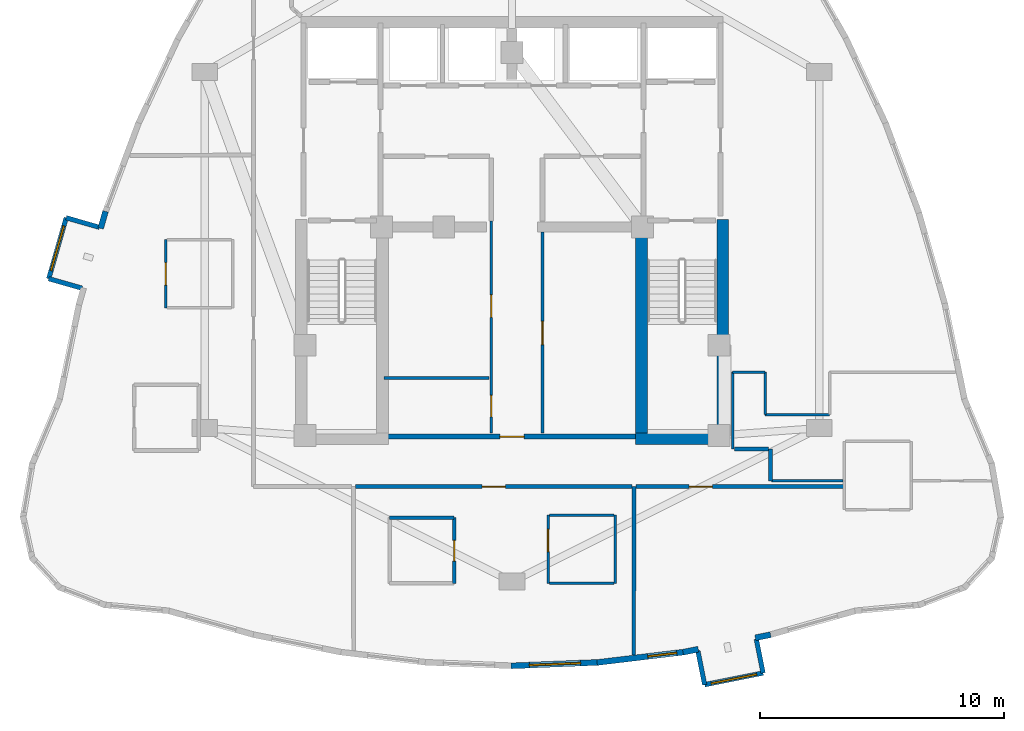
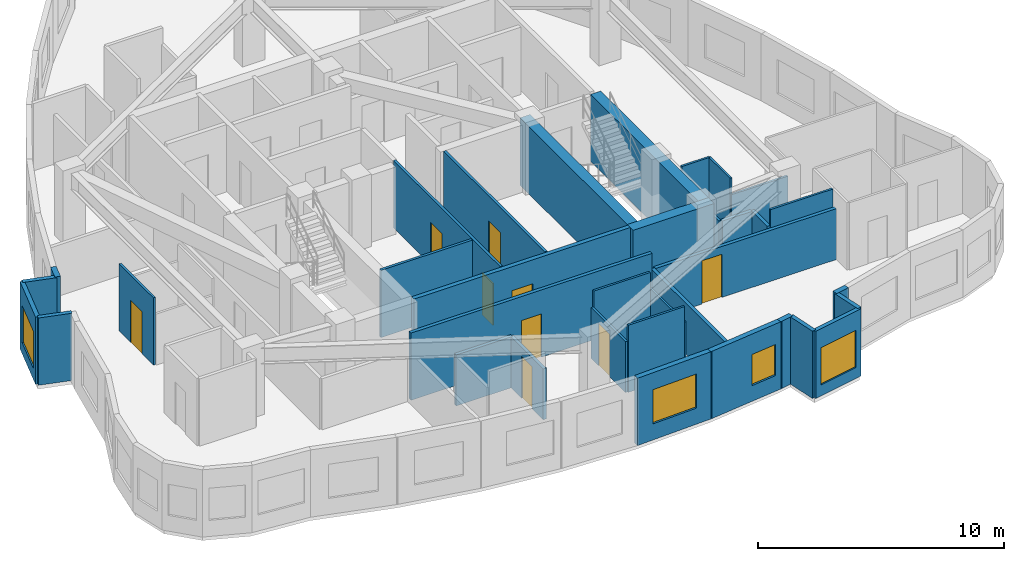
# One storey, part 4 of 8: 35 walls, 9 doors, 4 windows, 13 openings.
"""IFC4 building model written with IfcOpenShell, lengths in metres."""

from ifc_helpers import new_model, si_unit, direction, frame, frame_2d, origin, place, context, subcontext, project, spatial, rectangle, extrude, material, layer, layer_set, type_object, element, fill, save


model = new_model("IFC4")

# Units and contexts
model_context = context("Model", 3, precision=1e-05, world=origin(), true_north=direction((0.0, 1.0)))
body_context = subcontext(model_context, "Body", "Model", "MODEL_VIEW")
ifc_project = project(units=[si_unit("LENGTHUNIT", "METRE"), si_unit("AREAUNIT", "SQUARE_METRE"), si_unit("VOLUMEUNIT", "CUBIC_METRE"), si_unit("PLANEANGLEUNIT", "RADIAN"), si_unit("MASSUNIT", "GRAM", prefix="KILO")], contexts=[model_context])

# Site, building, storey
site_placement = place(None, origin())
site = spatial("IfcSite", under=ifc_project, at=site_placement, CompositionType="ELEMENT")
building_placement = place(site_placement, origin())
building = spatial("IfcBuilding", under=site, at=building_placement, Name="Miruveldt Soraemaru", CompositionType="ELEMENT")
storey_placement = place(building_placement, frame((0.0, 0.0, 208.800048828125)))
storey = spatial("IfcBuildingStorey", under=building, at=storey_placement, Name="L57", CompositionType="ELEMENT", Elevation=208.800048828125)

# Walls
ifc_material_1 = material(Name="White powder-coated aluminium EN AW-6060 T6", Category="aluminium")
ifc_layer_1 = layer(ifc_material_1, 0.18994140625, Name="White powder-coated aluminium EN AW-6060 T6", Category="aluminium")
ifc_layer_set_1 = layer_set([ifc_layer_1], Name="White powder-coated aluminium EN AW-6060 T6")
wall_type_1 = type_object("IfcWallType", Name="WALL-BAY-ALU190", PredefinedType="SOLIDWALL", material=ifc_layer_set_1)
for number, where, z_axis, x_axis, name in (
    (1, (27.081787109375, 44.035888671875, 0.0), (0.0, 0.0, 1.0), (-0.961407497968, 0.27512837522, 0.0), "L57 Bay Window Side Cheek 3L"),
    (2, (24.99658203125, 41.92822265625, 0.0), (0.0, 0.0, 1.0), (0.961452801096, -0.274970018845, 0.0), "L57 Bay Window Side Cheek 3R"),
):
    element("IfcWall", number, at=place(storey_placement, frame(where, z_axis=z_axis, x_axis=x_axis)), inside=storey, type_object=wall_type_1, Name=name, PredefinedType="SOLIDWALL", context=body_context, shape_type="SweptSolid", body=[
        extrude(rectangle(XDim=1.425048828125, YDim=0.18994140625, at=frame_2d((0.71240234375, 0.0))), origin(), (0.0, 0.0, 1.0), 3.344970703125),
    ])

# Wall, opening, window
wall_1_placement = place(storey_placement, frame((25.711669921875, 44.427978515625, 0.0), z_axis=(0.0, 0.0, 1.0), x_axis=(-0.275031158597, -0.961435313373, 0.0)))
wall_1 = element("IfcWall", 3, at=wall_1_placement, inside=storey, type_object=wall_type_1, Name="L57 Bay Window Front Frame 3", PredefinedType="SOLIDWALL", context=body_context, shape_type="SweptSolid", body=[
    extrude(rectangle(XDim=2.60009765625, YDim=0.18994140625, at=frame_2d((1.300048828125, 0.0))), origin(), (0.0, 0.0, 1.0), 3.344970703125),
])
opening_1_placement = place(wall_1_placement, frame((0.35009765625, 0.0, 0.550048828125)))
opening_1 = element("IfcOpeningElement", 4, at=opening_1_placement, cuts=wall_1, Name="Opening WN-6", PredefinedType="OPENING", context=body_context, shape_type="SweptSolid", body=[
    extrude(rectangle(XDim=1.89990234375, YDim=1.85009765625, at=frame_2d((0.949951171875, 0.925048828125))), frame((0.0, 0.10498046875, 0.0), z_axis=(0.0, -1.0, 0.0), x_axis=(1.0, 0.0, 0.0)), (0.0, 0.0, 1.0), 0.2099609375),
])
ifc_material_2 = material(Name="Triple low-e insulated glazing", Category="glass")
window_type_1 = type_object("IfcWindowType", Name="WIN-BAYW-1900x1850", PartitioningType="SINGLE_PANEL", PredefinedType="WINDOW", material=ifc_material_2)
window_1_placement = place(opening_1_placement, origin())
window_1 = element("IfcWindow", 5, at=window_1_placement, inside=storey, type_object=window_type_1, Name="L57 Projecting Bay Window 3", OverallHeight=1.85009765625, OverallWidth=1.89990234375, PartitioningType="SINGLE_PANEL", PredefinedType="WINDOW", context=body_context, shape_type="SweptSolid", body=[
    extrude(rectangle(XDim=1.89990234375, YDim=1.85009765625, at=frame_2d((0.949951171875, 0.925048828125))), frame((0.0, 0.030029296875, 0.0), z_axis=(0.0, -1.0, 0.0), x_axis=(1.0, 0.0, 0.0)), (0.0, 0.0, 1.0), 0.06005859375),
])
fill(opening_1, window_1)

# Walls
for number, where, z_axis, x_axis, name in (
    (6, (51.623779296875, 26.671142578125, 0.0), (0.0, 0.0, 1.0), (0.196149079112, -0.980574086321, 0.0), "L57 Bay Window Side Cheek 1L"),
    (7, (54.2998046875, 25.7529296875, 0.0), (0.0, 0.0, 1.0), (-0.195984352603, 0.980607022989, 0.0), "L57 Bay Window Side Cheek 1R"),
):
    element("IfcWall", number, at=place(storey_placement, frame(where, z_axis=z_axis, x_axis=x_axis)), inside=storey, type_object=wall_type_1, Name=name, PredefinedType="SOLIDWALL", context=body_context, shape_type="SweptSolid", body=[
        extrude(rectangle(XDim=1.425048828125, YDim=0.18994140625, at=frame_2d((0.71240234375, 0.0))), origin(), (0.0, 0.0, 1.0), 3.344970703125),
    ])

# Wall, opening, window
wall_2_placement = place(storey_placement, frame((51.9033203125, 25.273681640625, 0.0), z_axis=(0.0, 0.0, 1.0), x_axis=(0.980584517678, 0.196096924226, 0.0)))
wall_2 = element("IfcWall", 8, at=wall_2_placement, inside=storey, type_object=wall_type_1, Name="L57 Bay Window Front Frame 1", PredefinedType="SOLIDWALL", context=body_context, shape_type="SweptSolid", body=[
    extrude(rectangle(XDim=2.44384765625, YDim=0.18994140625, at=frame_2d((1.221923828125, 0.0))), origin(), (0.0, 0.0, 1.0), 3.344970703125),
])
opening_2_placement = place(wall_2_placement, frame((0.27197265625, 0.0, 0.550048828125)))
opening_2 = element("IfcOpeningElement", 9, at=opening_2_placement, cuts=wall_2, Name="Opening WN-6", PredefinedType="OPENING", context=body_context, shape_type="SweptSolid", body=[
    extrude(rectangle(XDim=1.89990234375, YDim=1.85009765625, at=frame_2d((0.949951171875, 0.925048828125))), frame((0.0, 0.10498046875, 0.0), z_axis=(0.0, -1.0, 0.0), x_axis=(1.0, 0.0, 0.0)), (0.0, 0.0, 1.0), 0.2099609375),
])
window_2_placement = place(opening_2_placement, origin())
window_2 = element("IfcWindow", 10, at=window_2_placement, inside=storey, type_object=window_type_1, Name="L57 Projecting Bay Window 1", OverallHeight=1.85009765625, OverallWidth=1.89990234375, PartitioningType="SINGLE_PANEL", PredefinedType="WINDOW", context=body_context, shape_type="SweptSolid", body=[
    extrude(rectangle(XDim=1.89990234375, YDim=1.85009765625, at=frame_2d((0.949951171875, 0.925048828125))), frame((0.0, 0.030029296875, 0.0), z_axis=(0.0, -1.0, 0.0), x_axis=(1.0, 0.0, 0.0)), (0.0, 0.0, 1.0), 0.06005859375),
])
fill(opening_2, window_2)

# Walls
ifc_material_3 = material(Name="Concrete C60/75 (60 MPa)", Category="concrete")
ifc_layer_2 = layer(ifc_material_3, 0.47998046875, Name="Concrete C60/75 (60 MPa)", Category="concrete")
ifc_layer_set_2 = layer_set([ifc_layer_2], Name="Concrete C60/75 (60 MPa)")
wall_type_2 = type_object("IfcWallType", Name="WALL-CW-480", PredefinedType="SHEAR", material=ifc_layer_set_2)
wall_3_placement = place(storey_placement, frame((49.070068359375, 35.360107421875, 0.0), z_axis=(0.0, 0.0, 1.0), x_axis=(1.0, 0.0, 0.0)))
element("IfcWall", 11, at=wall_3_placement, inside=storey, type_object=wall_type_2, Name="L57 Central Core Shear Wall S2", PredefinedType="SHEAR", context=body_context, shape_type="SweptSolid", body=[
    extrude(rectangle(XDim=3.809814453125, YDim=0.47998046875, at=frame_2d((1.90478515625, 0.0))), origin(), (0.0, 0.0, 1.0), 3.344970703125),
])
wall_4_placement = place(storey_placement, frame((52.639892578125, 35.1201171875, 0.0), z_axis=(0.0, 0.0, 1.0), x_axis=(0.0, 1.0, 0.0)))
element("IfcWall", 12, at=wall_4_placement, inside=storey, type_object=wall_type_2, Name="L57 Central Core Shear Wall E1", PredefinedType="SHEAR", context=body_context, shape_type="SweptSolid", body=[
    extrude(rectangle(XDim=9.22998046875, YDim=0.47998046875, at=frame_2d((4.614990234375, 0.0))), origin(), (0.0, 0.0, 1.0), 3.344970703125),
])
wall_5_placement = place(storey_placement, frame((49.31005859375, 35.39990234375, 0.0), z_axis=(0.0, 0.0, 1.0), x_axis=(0.0, 1.0, 0.0)))
element("IfcWall", 13, at=wall_5_placement, inside=storey, type_object=wall_type_2, Name="L57 Central Core Shear Wall SE-INT", PredefinedType="SHEAR", context=body_context, shape_type="SweptSolid", body=[
    extrude(rectangle(XDim=8.9501953125, YDim=0.47998046875, at=frame_2d((4.47509765625, 0.0))), origin(), (0.0, 0.0, 1.0), 3.344970703125),
])
ifc_material_4 = material(Name="Precast concrete C45/55 (45 MPa)", Category="concrete")
ifc_layer_3 = layer(ifc_material_4, 0.239990234375, Name="Precast concrete C45/55 (45 MPa)", Category="concrete")
ifc_layer_set_3 = layer_set([ifc_layer_3], Name="Precast concrete C45/55 (45 MPa)")
wall_type_3 = type_object("IfcWallType", Name="WALL-EXT-PC240", PredefinedType="SOLIDWALL", material=ifc_layer_set_3)
wall_6_placement = place(storey_placement, frame((27.325927734375, 44.690185546875, 0.0), z_axis=(0.0, 0.0, 1.0), x_axis=(-0.274765545951, -0.961511255659, 0.0)))
element("IfcWall", 14, at=wall_6_placement, inside=storey, type_object=wall_type_3, Name="L57 Precast Pier Wall 13A", PredefinedType="SOLIDWALL", context=body_context, shape_type="SweptSolid", body=[
    extrude(rectangle(XDim=0.725830078125, YDim=0.239990234375, at=frame_2d((0.36279296875, 0.0))), origin(), (0.0, 0.0, 1.0), 3.344970703125),
])

# Wall, opening, window
wall_7_placement = place(storey_placement, frame((43.965087890625, 26.046875, 0.0), z_axis=(0.0, 0.0, 1.0), x_axis=(0.999200741881, 0.039973459008, 0.0)))
wall_7 = element("IfcWall", 15, at=wall_7_placement, inside=storey, type_object=wall_type_3, Name="L57 Precast Concrete Facade Wall 25", PredefinedType="SOLIDWALL", context=body_context, shape_type="SweptSolid", body=[
    extrude(rectangle(XDim=3.597412109375, YDim=0.239990234375, at=frame_2d((1.798828125, 0.0))), origin(), (0.0, 0.0, 1.0), 3.344970703125),
])
opening_3_placement = place(wall_7_placement, frame((0.748046875, 0.0, 0.800048828125)))
opening_3 = element("IfcOpeningElement", 16, at=opening_3_placement, cuts=wall_7, Name="Opening WN-1", PredefinedType="OPENING", context=body_context, shape_type="SweptSolid", body=[
    extrude(rectangle(XDim=2.10009765625, YDim=1.699951171875, at=frame_2d((1.050048828125, 0.85009765625))), frame((0.0, 0.1298828125, 0.0), z_axis=(0.0, -1.0, 0.0), x_axis=(1.0, 0.0, 0.0)), (0.0, 0.0, 1.0), 0.260009765625),
])
window_type_2 = type_object("IfcWindowType", Name="WIN-PUNCH-2100x1700", PartitioningType="SINGLE_PANEL", PredefinedType="WINDOW", material=ifc_material_2)
window_3_placement = place(opening_3_placement, origin())
window_3 = element("IfcWindow", 17, at=window_3_placement, inside=storey, type_object=window_type_2, Name="L57 Punched Triple-Glazed Window 25.1", OverallHeight=1.699951171875, OverallWidth=2.10009765625, PartitioningType="SINGLE_PANEL", PredefinedType="WINDOW", context=body_context, shape_type="SweptSolid", body=[
    extrude(rectangle(XDim=2.10009765625, YDim=1.699951171875, at=frame_2d((1.050048828125, 0.85009765625))), frame((0.0, 0.030029296875, 0.0), z_axis=(0.0, -1.0, 0.0), x_axis=(1.0, 0.0, 0.0)), (0.0, 0.0, 1.0), 0.06005859375),
])
fill(opening_3, window_3)

wall_8_placement = place(storey_placement, frame((47.48974609375, 26.18505859375, 0.0), z_axis=(0.0, 0.0, 1.0), x_axis=(0.992873966084, 0.119169154875, 0.0)))
wall_8 = element("IfcWall", 18, at=wall_8_placement, inside=storey, type_object=wall_type_3, Name="L57 Precast Concrete Facade Wall 26", PredefinedType="SOLIDWALL", context=body_context, shape_type="SweptSolid", body=[
    extrude(rectangle(XDim=3.6201171875, YDim=0.239990234375, at=frame_2d((1.81005859375, 0.0))), origin(), (0.0, 0.0, 1.0), 3.344970703125),
])
opening_4_placement = place(wall_8_placement, frame((2.094970703125, 0.0, 0.780029296875)))
opening_4 = element("IfcOpeningElement", 19, at=opening_4_placement, cuts=wall_8, Name="Opening WN-4", PredefinedType="OPENING", context=body_context, shape_type="SweptSolid", body=[
    extrude(rectangle(XDim=1.199951171875, YDim=1.550048828125, at=frame_2d((0.60009765625, 0.77490234375))), frame((0.0, 0.1298828125, 0.0), z_axis=(0.0, -1.0, 0.0), x_axis=(1.0, 0.0, 0.0)), (0.0, 0.0, 1.0), 0.260009765625),
])
window_type_3 = type_object("IfcWindowType", Name="WIN-PUNCH-1200x1550", PartitioningType="SINGLE_PANEL", PredefinedType="WINDOW", material=ifc_material_2)
window_4_placement = place(opening_4_placement, origin())
window_4 = element("IfcWindow", 20, at=window_4_placement, inside=storey, type_object=window_type_3, Name="L57 Punched Triple-Glazed Window 26.1", OverallHeight=1.550048828125, OverallWidth=1.199951171875, PartitioningType="SINGLE_PANEL", PredefinedType="WINDOW", context=body_context, shape_type="SweptSolid", body=[
    extrude(rectangle(XDim=1.199951171875, YDim=1.550048828125, at=frame_2d((0.60009765625, 0.77490234375))), frame((0.0, 0.030029296875, 0.0), z_axis=(0.0, -1.0, 0.0), x_axis=(1.0, 0.0, 0.0)), (0.0, 0.0, 1.0), 0.06005859375),
])
fill(opening_4, window_4)

# Walls
for number, where, z_axis, x_axis, name in (
    (21, (51.014892578125, 26.605224609375, 0.0), (0.0, 0.0, 1.0), (0.980521958321, 0.19640949379, 0.0), "L57 Precast Pier Wall 27A"),
    (22, (53.980224609375, 27.198486328125, 0.0), (0.0, 0.0, 1.0), (0.980595342417, 0.196042787243, 0.0), "L57 Precast Pier Wall 27B"),
):
    element("IfcWall", number, at=place(storey_placement, frame(where, z_axis=z_axis, x_axis=x_axis)), inside=storey, type_object=wall_type_3, Name=name, PredefinedType="SOLIDWALL", context=body_context, shape_type="SweptSolid", body=[
        extrude(rectangle(XDim=0.64013671875, YDim=0.239990234375, at=frame_2d((0.320068359375, 0.0))), origin(), (0.0, 0.0, 1.0), 3.344970703125),
    ])

# Wall, opening, door
ifc_material_5 = material(Name="Gypsum plasterboard lining", Category="gypsum")
ifc_layer_4 = layer(ifc_material_5, 0.10009765625, Name="Gypsum plasterboard lining", Category="gypsum")
ifc_layer_set_4 = layer_set([ifc_layer_4], Name="Gypsum plasterboard lining")
wall_type_4 = type_object("IfcWallType", Name="WALL-INT-P100", PredefinedType="PARTITIONING", material=ifc_layer_set_4)
wall_9_placement = place(storey_placement, frame((29.798095703125, 43.530029296875, 0.0), z_axis=(0.0, 0.0, 1.0), x_axis=(0.0, -1.0, 0.0)))
wall_9 = element("IfcWall", 23, at=wall_9_placement, inside=storey, type_object=wall_type_4, Name="L57 Partition Wall 25", PredefinedType="PARTITIONING", context=body_context, shape_type="SweptSolid", body=[
    extrude(rectangle(XDim=2.800048828125, YDim=0.10009765625, at=frame_2d((1.39990234375, 0.0))), origin(), (0.0, 0.0, 1.0), 3.344970703125),
])
opening_5_placement = place(wall_9_placement, frame((0.93994140625, 0.0, 0.0)))
opening_5 = element("IfcOpeningElement", 24, at=opening_5_placement, cuts=wall_9, Name="Opening D3A", PredefinedType="OPENING", context=body_context, shape_type="SweptSolid", body=[
    extrude(rectangle(XDim=0.919921875, YDim=2.10009765625, at=frame_2d((0.4599609375, 1.050048828125))), frame((0.0, 0.06005859375, 0.0), z_axis=(0.0, -1.0, 0.0), x_axis=(1.0, 0.0, 0.0)), (0.0, 0.0, 1.0), 0.1201171875),
])
ifc_material_6 = material(Name="Anodised aluminium EN AW-6063 T6", Category="aluminium")
door_type_1 = type_object("IfcDoorType", Name="DOOR-INT-920", OperationType="NOTDEFINED", PredefinedType="DOOR", material=ifc_material_6)
door_1_placement = place(opening_5_placement, origin())
door_1 = element("IfcDoor", 25, at=door_1_placement, inside=storey, type_object=door_type_1, Name="L57 Unit 5702 KIT Door", OperationType="SINGLE_SWING_LEFT", OverallHeight=2.10009765625, OverallWidth=0.919921875, PredefinedType="DOOR", context=body_context, shape_type="SweptSolid", body=[
    extrude(rectangle(XDim=0.919921875, YDim=2.10009765625, at=frame_2d((0.4599609375, 1.050048828125))), frame((0.0, 0.02490234375, 0.0), z_axis=(0.0, -1.0, 0.0), x_axis=(1.0, 0.0, 0.0)), (0.0, 0.0, 1.0), 0.050048828125),
])
fill(opening_5, door_1)

wall_10_placement = place(storey_placement, frame((45.47998046875, 32.22998046875, 0.0), z_axis=(0.0, 0.0, 1.0), x_axis=(0.0, -1.0, 0.0)))
wall_10 = element("IfcWall", 26, at=wall_10_placement, inside=storey, type_object=wall_type_4, Name="L57 Partition Wall 34", PredefinedType="PARTITIONING", context=body_context, shape_type="SweptSolid", body=[
    extrude(rectangle(XDim=2.800048828125, YDim=0.10009765625, at=frame_2d((1.39990234375, 0.0))), origin(), (0.0, 0.0, 1.0), 2.532958984375),
])
opening_6_placement = place(wall_10_placement, frame((0.580078125, 0.0, 0.0)))
opening_6 = element("IfcOpeningElement", 27, at=opening_6_placement, cuts=wall_10, Name="Opening D3A", PredefinedType="OPENING", context=body_context, shape_type="SweptSolid", body=[
    extrude(rectangle(XDim=0.919921875, YDim=2.10009765625, at=frame_2d((0.4599609375, 1.050048828125))), frame((0.0, 0.06005859375, 0.0), z_axis=(0.0, -1.0, 0.0), x_axis=(1.0, 0.0, 0.0)), (0.0, 0.0, 1.0), 0.1201171875),
])
door_2_placement = place(opening_6_placement, origin())
door_2 = element("IfcDoor", 28, at=door_2_placement, inside=storey, type_object=door_type_1, Name="L57 Unit 5704 KIT Door", OperationType="SINGLE_SWING_RIGHT", OverallHeight=2.10009765625, OverallWidth=0.919921875, PredefinedType="DOOR", context=body_context, shape_type="SweptSolid", body=[
    extrude(rectangle(XDim=0.919921875, YDim=2.10009765625, at=frame_2d((0.4599609375, 1.050048828125))), frame((0.0, 0.02490234375, 0.0), z_axis=(0.0, -1.0, 0.0), x_axis=(1.0, 0.0, 0.0)), (0.0, 0.0, 1.0), 0.050048828125),
])
fill(opening_6, door_2)

# Walls
wall_11_placement = place(storey_placement, frame((53.050048828125, 34.949951171875, 0.0), z_axis=(0.0, 0.0, 1.0), x_axis=(0.0, 1.0, 0.0)))
element("IfcWall", 29, at=wall_11_placement, inside=storey, type_object=wall_type_4, Name="L57 Partition Wall 45", PredefinedType="PARTITIONING", context=body_context, shape_type="SweptSolid", body=[
    extrude(rectangle(XDim=3.14404296875, YDim=0.10009765625, at=frame_2d((1.572021484375, 0.0))), origin(), (0.0, 0.0, 1.0), 2.532958984375),
])
wall_12_placement = place(storey_placement, frame((57.580078125, 33.639892578125, 0.0), z_axis=(0.0, 0.0, 1.0), x_axis=(-1.0, 0.0, 0.0)))
element("IfcWall", 30, at=wall_12_placement, inside=storey, type_object=wall_type_4, Name="L57 Partition Wall 41", PredefinedType="PARTITIONING", context=body_context, shape_type="SweptSolid", body=[
    extrude(rectangle(XDim=2.93017578125, YDim=0.10009765625, at=frame_2d((1.465087890625, 0.0))), origin(), (0.0, 0.0, 1.0), 3.344970703125),
])
wall_13_placement = place(storey_placement, frame((48.22998046875, 29.429931640625, 0.0), z_axis=(0.0, 0.0, 1.0), x_axis=(0.0, 1.0, 0.0)))
element("IfcWall", 31, at=wall_13_placement, inside=storey, type_object=wall_type_4, Name="L57 Partition Wall 32", PredefinedType="PARTITIONING", context=body_context, shape_type="SweptSolid", body=[
    extrude(rectangle(XDim=2.800048828125, YDim=0.10009765625, at=frame_2d((1.39990234375, 0.0))), origin(), (0.0, 0.0, 1.0), 2.532958984375),
])
for number, where, z_axis, x_axis, name in (
    (32, (48.179931640625, 32.22998046875, 0.0), (0.0, 0.0, 1.0), (-1.0, 0.0, 0.0), "L57 Partition Wall 33"),
    (33, (45.530029296875, 29.429931640625, 0.0), (0.0, 0.0, 1.0), (1.0, 0.0, 0.0), "L57 Partition Wall 35"),
):
    element("IfcWall", number, at=place(storey_placement, frame(where, z_axis=z_axis, x_axis=x_axis)), inside=storey, type_object=wall_type_4, Name=name, PredefinedType="PARTITIONING", context=body_context, shape_type="SweptSolid", body=[
        extrude(rectangle(XDim=2.64990234375, YDim=0.10009765625, at=frame_2d((1.324951171875, 0.0))), origin(), (0.0, 0.0, 1.0), 3.344970703125),
    ])
wall_14_placement = place(storey_placement, frame((54.3798828125, 36.35498046875, 0.0), z_axis=(0.0, 0.0, 1.0), x_axis=(1.0, 0.0, 0.0)))
element("IfcWall", 34, at=wall_14_placement, inside=storey, type_object=wall_type_4, Name="L57 Partition Wall 48", PredefinedType="PARTITIONING", context=body_context, shape_type="SweptSolid", body=[
    extrude(rectangle(XDim=2.650146484375, YDim=0.10009765625, at=frame_2d((1.3251953125, 0.0))), origin(), (0.0, 0.0, 1.0), 2.532958984375),
])
wall_15_placement = place(storey_placement, frame((54.3798828125, 38.093994140625, 0.0), z_axis=(0.0, 0.0, 1.0), x_axis=(0.0, -1.0, 0.0)))
element("IfcWall", 35, at=wall_15_placement, inside=storey, type_object=wall_type_4, Name="L57 Partition Wall 47", PredefinedType="PARTITIONING", context=body_context, shape_type="SweptSolid", body=[
    extrude(rectangle(XDim=1.739013671875, YDim=0.10009765625, at=frame_2d((0.86962890625, 0.0))), origin(), (0.0, 0.0, 1.0), 3.344970703125),
])
wall_16_placement = place(storey_placement, frame((53.050048828125, 38.093994140625, 0.0), z_axis=(0.0, 0.0, 1.0), x_axis=(1.0, 0.0, 0.0)))
element("IfcWall", 36, at=wall_16_placement, inside=storey, type_object=wall_type_4, Name="L57 Partition Wall 46", PredefinedType="PARTITIONING", context=body_context, shape_type="SweptSolid", body=[
    extrude(rectangle(XDim=1.329833984375, YDim=0.10009765625, at=frame_2d((0.6650390625, 0.0))), origin(), (0.0, 0.0, 1.0), 3.344970703125),
])

# Wall, openings, doors
ifc_layer_5 = layer(ifc_material_5, 0.1201171875, Name="Gypsum plasterboard lining", Category="gypsum")
ifc_layer_set_5 = layer_set([ifc_layer_5], Name="Gypsum plasterboard lining")
wall_type_5 = type_object("IfcWallType", Name="WALL-INT-P120", PredefinedType="PARTITIONING", material=ifc_layer_set_5)
wall_17_placement = place(storey_placement, frame((43.14990234375, 35.60009765625, 0.0), z_axis=(0.0, 0.0, 1.0), x_axis=(0.0, 1.0, 0.0)))
wall_17 = element("IfcWall", 37, at=wall_17_placement, inside=storey, type_object=wall_type_5, Name="L57 Core Compartment Wall SP-WL", PredefinedType="PARTITIONING", context=body_context, shape_type="SweptSolid", body=[
    extrude(rectangle(XDim=8.699951171875, YDim=0.1201171875, at=frame_2d((4.35009765625, 0.0))), origin(), (0.0, 0.0, 1.0), 3.344970703125),
])
opening_7_placement = place(wall_17_placement, frame((0.659912109375, 0.0, 0.0)))
opening_7 = element("IfcOpeningElement", 38, at=opening_7_placement, cuts=wall_17, Name="Opening D4", PredefinedType="OPENING", context=body_context, shape_type="SweptSolid", body=[
    extrude(rectangle(XDim=0.8798828125, YDim=2.10009765625, at=frame_2d((0.43994140625, 1.050048828125))), frame((0.0, 0.070068359375, 0.0), z_axis=(0.0, -1.0, 0.0), x_axis=(1.0, 0.0, 0.0)), (0.0, 0.0, 1.0), 0.14013671875),
])
opening_8_placement = place(wall_17_placement, frame((4.739990234375, 0.0, 0.0)))
opening_8 = element("IfcOpeningElement", 39, at=opening_8_placement, cuts=wall_17, Name="Opening D3A", PredefinedType="OPENING", context=body_context, shape_type="SweptSolid", body=[
    extrude(rectangle(XDim=0.919921875, YDim=2.10009765625, at=frame_2d((0.4599609375, 1.050048828125))), frame((0.0, 0.070068359375, 0.0), z_axis=(0.0, -1.0, 0.0), x_axis=(1.0, 0.0, 0.0)), (0.0, 0.0, 1.0), 0.14013671875),
])
door_type_2 = type_object("IfcDoorType", Name="DOOR-INT-880", OperationType="NOTDEFINED", PredefinedType="DOOR", material=ifc_material_6)
door_3_placement = place(opening_7_placement, origin())
door_3 = element("IfcDoor", 40, at=door_3_placement, inside=storey, type_object=door_type_2, Name="L57 Fire Door", OperationType="SINGLE_SWING_LEFT", OverallHeight=2.10009765625, OverallWidth=0.8798828125, PredefinedType="DOOR", context=body_context, shape_type="SweptSolid", body=[
    extrude(rectangle(XDim=0.8798828125, YDim=2.10009765625, at=frame_2d((0.43994140625, 1.050048828125))), frame((0.0, 0.02490234375, 0.0), z_axis=(0.0, -1.0, 0.0), x_axis=(1.0, 0.0, 0.0)), (0.0, 0.0, 1.0), 0.050048828125),
])
fill(opening_7, door_3)
door_4_placement = place(opening_8_placement, origin())
door_4 = element("IfcDoor", 41, at=door_4_placement, inside=storey, type_object=door_type_1, Name="L57 Fire Door", OperationType="SINGLE_SWING_LEFT", OverallHeight=2.10009765625, OverallWidth=0.919921875, PredefinedType="DOOR", context=body_context, shape_type="SweptSolid", body=[
    extrude(rectangle(XDim=0.919921875, YDim=2.10009765625, at=frame_2d((0.4599609375, 1.050048828125))), frame((0.0, 0.02490234375, 0.0), z_axis=(0.0, -1.0, 0.0), x_axis=(1.0, 0.0, 0.0)), (0.0, 0.0, 1.0), 0.050048828125),
])
fill(opening_8, door_4)

# Wall, opening, door
wall_18_placement = place(storey_placement, frame((45.25, 35.60009765625, 0.0), z_axis=(0.0, 0.0, 1.0), x_axis=(0.0, 1.0, 0.0)))
wall_18 = element("IfcWall", 42, at=wall_18_placement, inside=storey, type_object=wall_type_5, Name="L57 Core Compartment Wall SP-EL", PredefinedType="PARTITIONING", context=body_context, shape_type="SweptSolid", body=[
    extrude(rectangle(XDim=8.25, YDim=0.1201171875, at=frame_2d((4.125, 0.0))), origin(), (0.0, 0.0, 1.0), 3.344970703125),
])
opening_9_placement = place(wall_18_placement, frame((3.625, 0.0, 0.0)))
opening_9 = element("IfcOpeningElement", 43, at=opening_9_placement, cuts=wall_18, Name="Opening D2", PredefinedType="OPENING", context=body_context, shape_type="SweptSolid", body=[
    extrude(rectangle(XDim=0.949951171875, YDim=2.10009765625, at=frame_2d((0.47509765625, 1.050048828125))), frame((0.0, 0.070068359375, 0.0), z_axis=(0.0, -1.0, 0.0), x_axis=(1.0, 0.0, 0.0)), (0.0, 0.0, 1.0), 0.14013671875),
])
door_type_3 = type_object("IfcDoorType", Name="DOOR-INT-950", OperationType="NOTDEFINED", PredefinedType="DOOR", material=ifc_material_6)
door_5_placement = place(opening_9_placement, origin())
door_5 = element("IfcDoor", 44, at=door_5_placement, inside=storey, type_object=door_type_3, Name="L57 Fire Door", OperationType="SINGLE_SWING_LEFT", OverallHeight=2.10009765625, OverallWidth=0.949951171875, PredefinedType="DOOR", context=body_context, shape_type="SweptSolid", body=[
    extrude(rectangle(XDim=0.949951171875, YDim=2.10009765625, at=frame_2d((0.47509765625, 1.050048828125))), frame((0.0, 0.02490234375, 0.0), z_axis=(0.0, -1.0, 0.0), x_axis=(1.0, 0.0, 0.0)), (0.0, 0.0, 1.0), 0.050048828125),
])
fill(opening_9, door_5)

# Wall
wall_19_placement = place(storey_placement, frame((38.75, 37.85009765625, 0.0), z_axis=(0.0, 0.0, 1.0), x_axis=(1.0, 0.0, 0.0)))
element("IfcWall", 45, at=wall_19_placement, inside=storey, type_object=wall_type_5, Name="L57 Core Compartment Wall RL-W1H", PredefinedType="PARTITIONING", context=body_context, shape_type="SweptSolid", body=[
    extrude(rectangle(XDim=4.300048828125, YDim=0.1201171875, at=frame_2d((2.14990234375, 0.0))), origin(), (0.0, 0.0, 1.0), 3.344970703125),
])

# Wall, opening, door
ifc_layer_6 = layer(ifc_material_5, 0.14990234375, Name="Gypsum plasterboard lining", Category="gypsum")
ifc_layer_set_6 = layer_set([ifc_layer_6], Name="Gypsum plasterboard lining")
wall_type_6 = type_object("IfcWallType", Name="WALL-INT-PLUMB", PredefinedType="PLUMBINGWALL", material=ifc_layer_set_6)
wall_20_placement = place(storey_placement, frame((41.6298828125, 29.429931640625, 0.0), z_axis=(0.0, 0.0, 1.0), x_axis=(0.0, 1.0, 0.0)))
wall_20 = element("IfcWall", 46, at=wall_20_placement, inside=storey, type_object=wall_type_6, Name="L57 Partition Wall 28", PredefinedType="PLUMBINGWALL", context=body_context, shape_type="SweptSolid", body=[
    extrude(rectangle(XDim=2.699951171875, YDim=0.14990234375, at=frame_2d((1.35009765625, 0.0))), origin(), (0.0, 0.0, 1.0), 2.532958984375),
])
opening_10_placement = place(wall_20_placement, frame((0.909912109375, 0.0, 0.0)))
opening_10 = element("IfcOpeningElement", 47, at=opening_10_placement, cuts=wall_20, Name="Opening FD3", PredefinedType="OPENING", context=body_context, shape_type="SweptSolid", body=[
    extrude(rectangle(XDim=0.85009765625, YDim=2.10009765625, at=frame_2d((0.425048828125, 1.050048828125))), frame((0.0, 0.0849609375, 0.0), z_axis=(0.0, -1.0, 0.0), x_axis=(1.0, 0.0, 0.0)), (0.0, 0.0, 1.0), 0.169921875),
])
door_type_4 = type_object("IfcDoorType", Name="DOOR-FD3-850", OperationType="NOTDEFINED", PredefinedType="DOOR", material=ifc_material_6)
door_6_placement = place(opening_10_placement, origin())
door_6 = element("IfcDoor", 48, at=door_6_placement, inside=storey, type_object=door_type_4, Name="L57 Unit 5704 BTH Door", OperationType="SINGLE_SWING_LEFT", OverallHeight=2.10009765625, OverallWidth=0.85009765625, PredefinedType="DOOR", context=body_context, shape_type="SweptSolid", body=[
    extrude(rectangle(XDim=0.85009765625, YDim=2.10009765625, at=frame_2d((0.425048828125, 1.050048828125))), frame((0.0, 0.02490234375, 0.0), z_axis=(0.0, -1.0, 0.0), x_axis=(1.0, 0.0, 0.0)), (0.0, 0.0, 1.0), 0.050048828125),
])
fill(opening_10, door_6)

# Wall
wall_21_placement = place(storey_placement, frame((41.6298828125, 32.1298828125, 0.0), z_axis=(0.0, 0.0, 1.0), x_axis=(-1.0, 0.0, 0.0)))
element("IfcWall", 49, at=wall_21_placement, inside=storey, type_object=wall_type_6, Name="L57 Partition Wall 29", PredefinedType="PLUMBINGWALL", context=body_context, shape_type="SweptSolid", body=[
    extrude(rectangle(XDim=2.64990234375, YDim=0.14990234375, at=frame_2d((1.324951171875, 0.0))), origin(), (0.0, 0.0, 1.0), 2.532958984375),
])

# Wall, opening, door
ifc_material_7 = material(Name="Concrete C40/50 (40 MPa)", Category="concrete")
ifc_layer_7 = layer(ifc_material_7, 0.159912109375, Name="Concrete C40/50 (40 MPa)", Category="concrete")
ifc_layer_set_7 = layer_set([ifc_layer_7], Name="Concrete C40/50 (40 MPa)")
wall_type_7 = type_object("IfcWallType", Name="WALL-INT-RC160", PredefinedType="SOLIDWALL", material=ifc_layer_set_7)
wall_22_placement = place(storey_placement, frame((37.580078125, 33.39990234375, 0.0), z_axis=(0.0, 0.0, 1.0), x_axis=(1.0, 0.0, 0.0)))
wall_22 = element("IfcWall", 50, at=wall_22_placement, inside=storey, type_object=wall_type_7, Name="L57 Partition Wall 6", PredefinedType="SOLIDWALL", context=body_context, shape_type="SweptSolid", body=[
    extrude(rectangle(XDim=11.33984375, YDim=0.159912109375, at=frame_2d((5.669921875, 0.0))), origin(), (0.0, 0.0, 1.0), 3.344970703125),
])
opening_11_placement = place(wall_22_placement, frame((5.195068359375, 0.0, 0.0)))
opening_11 = element("IfcOpeningElement", 51, at=opening_11_placement, cuts=wall_22, Name="Opening FD2", PredefinedType="OPENING", context=body_context, shape_type="SweptSolid", body=[
    extrude(rectangle(XDim=0.949951171875, YDim=2.14990234375, at=frame_2d((0.47509765625, 1.074951171875))), frame((0.0, 0.08984375, 0.0), z_axis=(0.0, -1.0, 0.0), x_axis=(1.0, 0.0, 0.0)), (0.0, 0.0, 1.0), 0.179931640625),
])
door_type_5 = type_object("IfcDoorType", Name="DOOR-FD2-950", OperationType="NOTDEFINED", PredefinedType="DOOR", material=ifc_material_6)
door_7_placement = place(opening_11_placement, origin())
door_7 = element("IfcDoor", 52, at=door_7_placement, inside=storey, type_object=door_type_5, Name="L57 Unit 5704 Entrance Fire Door", OperationType="SINGLE_SWING_RIGHT", OverallHeight=2.14990234375, OverallWidth=0.949951171875, PredefinedType="DOOR", context=body_context, shape_type="SweptSolid", body=[
    extrude(rectangle(XDim=0.949951171875, YDim=2.14990234375, at=frame_2d((0.47509765625, 1.074951171875))), frame((0.0, 0.02490234375, 0.0), z_axis=(0.0, -1.0, 0.0), x_axis=(1.0, 0.0, 0.0)), (0.0, 0.0, 1.0), 0.050048828125),
])
fill(opening_11, door_7)

wall_23_placement = place(storey_placement, frame((49.0849609375, 33.39990234375, 0.0), z_axis=(0.0, 0.0, 1.0), x_axis=(1.0, 0.0, 0.0)))
wall_23 = element("IfcWall", 53, at=wall_23_placement, inside=storey, type_object=wall_type_7, Name="L57 Partition Wall 7", PredefinedType="SOLIDWALL", context=body_context, shape_type="SweptSolid", body=[
    extrude(rectangle(XDim=8.510009765625, YDim=0.159912109375, at=frame_2d((4.2548828125, 0.0))), origin(), (0.0, 0.0, 1.0), 2.532958984375),
])
opening_12_placement = place(wall_23_placement, frame((2.179931640625, 0.0, 0.0)))
opening_12 = element("IfcOpeningElement", 54, at=opening_12_placement, cuts=wall_23, Name="Opening FD2", PredefinedType="OPENING", context=body_context, shape_type="SweptSolid", body=[
    extrude(rectangle(XDim=0.949951171875, YDim=2.14990234375, at=frame_2d((0.47509765625, 1.074951171875))), frame((0.0, 0.08984375, 0.0), z_axis=(0.0, -1.0, 0.0), x_axis=(1.0, 0.0, 0.0)), (0.0, 0.0, 1.0), 0.179931640625),
])
door_8_placement = place(opening_12_placement, origin())
door_8 = element("IfcDoor", 55, at=door_8_placement, inside=storey, type_object=door_type_5, Name="L57 Unit 5705 Entrance Fire Door", OperationType="SINGLE_SWING_LEFT", OverallHeight=2.14990234375, OverallWidth=0.949951171875, PredefinedType="DOOR", context=body_context, shape_type="SweptSolid", body=[
    extrude(rectangle(XDim=0.949951171875, YDim=2.14990234375, at=frame_2d((0.47509765625, 1.074951171875))), frame((0.0, 0.02490234375, 0.0), z_axis=(0.0, -1.0, 0.0), x_axis=(1.0, 0.0, 0.0)), (0.0, 0.0, 1.0), 0.050048828125),
])
fill(opening_12, door_8)

# Walls
wall_24_placement = place(storey_placement, frame((48.993896484375, 26.501953125, 0.0), z_axis=(0.0, 0.0, 1.0), x_axis=(0.000885456903, 0.999999607983, 0.0)))
element("IfcWall", 56, at=wall_24_placement, inside=storey, type_object=wall_type_7, Name="L57 Partition Wall 36", PredefinedType="SOLIDWALL", context=body_context, shape_type="SweptSolid", body=[
    extrude(rectangle(XDim=6.89306640625, YDim=0.159912109375, at=frame_2d((3.446533203125, 0.0))), origin(), (0.0, 0.0, 1.0), 2.532958984375),
])
wall_25_placement = place(storey_placement, frame((54.52001953125, 34.949951171875, 0.0), z_axis=(0.0, 0.0, 1.0), x_axis=(-1.0, 0.0, 0.0)))
element("IfcWall", 57, at=wall_25_placement, inside=storey, type_object=wall_type_7, Name="L57 Partition Wall 9", PredefinedType="SOLIDWALL", context=body_context, shape_type="SweptSolid", body=[
    extrude(rectangle(XDim=1.39013671875, YDim=0.159912109375, at=frame_2d((0.695068359375, 0.0))), origin(), (0.0, 0.0, 1.0), 2.532958984375),
])
wall_26_placement = place(storey_placement, frame((54.60009765625, 33.639892578125, 0.0), z_axis=(0.0, 0.0, 1.0), x_axis=(0.0, 1.0, 0.0)))
element("IfcWall", 58, at=wall_26_placement, inside=storey, type_object=wall_type_7, Name="L57 Partition Wall 8", PredefinedType="SOLIDWALL", context=body_context, shape_type="SweptSolid", body=[
    extrude(rectangle(XDim=1.31005859375, YDim=0.159912109375, at=frame_2d((0.655029296875, 0.0))), origin(), (0.0, 0.0, 1.0), 2.532958984375),
])

# Wall, opening, door
ifc_layer_8 = layer(ifc_material_7, 0.199951171875, Name="Concrete C40/50 (40 MPa)", Category="concrete")
ifc_layer_set_8 = layer_set([ifc_layer_8], Name="Concrete C40/50 (40 MPa)")
wall_type_8 = type_object("IfcWallType", Name="WALL-INT-RC200", PredefinedType="SOLIDWALL", material=ifc_layer_set_8)
wall_27_placement = place(storey_placement, frame((38.89990234375, 35.449951171875, 0.0), z_axis=(0.0, 0.0, 1.0), x_axis=(1.0, 0.0, 0.0)))
wall_27 = element("IfcWall", 59, at=wall_27_placement, inside=storey, type_object=wall_type_8, Name="L57 Core Compartment Wall CS-S", PredefinedType="SOLIDWALL", context=body_context, shape_type="SweptSolid", body=[
    extrude(rectangle(XDim=10.2001953125, YDim=0.199951171875, at=frame_2d((5.10009765625, 0.0))), origin(), (0.0, 0.0, 1.0), 3.344970703125),
])
opening_13_placement = place(wall_27_placement, frame((4.60009765625, 0.0, 0.0)))
opening_13 = element("IfcOpeningElement", 60, at=opening_13_placement, cuts=wall_27, Name="Opening FD1", PredefinedType="OPENING", context=body_context, shape_type="SweptSolid", body=[
    extrude(rectangle(XDim=1.0, YDim=2.14990234375, at=frame_2d((0.5, 1.074951171875))), frame((0.0, 0.10986328125, 0.0), z_axis=(0.0, -1.0, 0.0), x_axis=(1.0, 0.0, 0.0)), (0.0, 0.0, 1.0), 0.219970703125),
])
door_type_6 = type_object("IfcDoorType", Name="DOOR-FD1-1000", OperationType="NOTDEFINED", PredefinedType="DOOR", material=ifc_material_6)
door_9_placement = place(opening_13_placement, origin())
door_9 = element("IfcDoor", 61, at=door_9_placement, inside=storey, type_object=door_type_6, Name="L57 Core South Lobby Fire Door", OperationType="SINGLE_SWING_LEFT", OverallHeight=2.14990234375, OverallWidth=1.0, PredefinedType="DOOR", context=body_context, shape_type="SweptSolid", body=[
    extrude(rectangle(XDim=1.0, YDim=2.14990234375, at=frame_2d((0.5, 1.074951171875))), frame((0.0, 0.02490234375, 0.0), z_axis=(0.0, -1.0, 0.0), x_axis=(1.0, 0.0, 0.0)), (0.0, 0.0, 1.0), 0.050048828125),
])
fill(opening_13, door_9)

save(model, "model.ifc")
